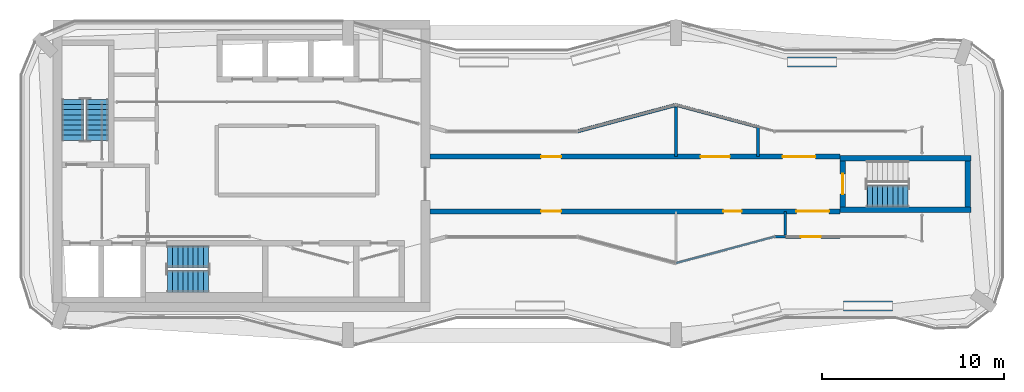
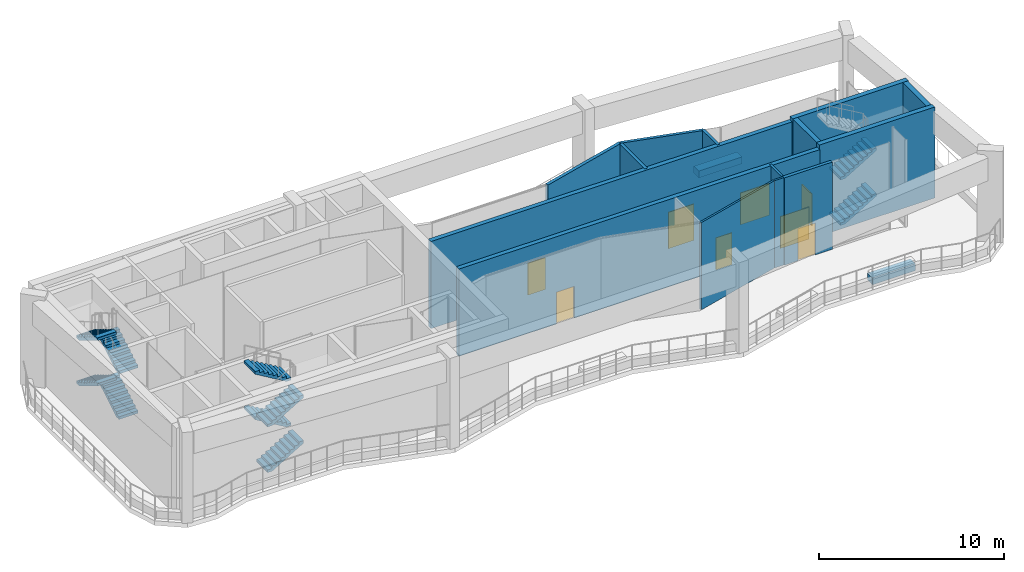
# One storey, part 8 of 12: 16 walls, 10 stair flights, 8 doors, 8 openings, 3 elements without a shape of their own.
"""IFC4 building model written with IfcOpenShell, lengths in metres."""

from ifc_helpers import new_model, si_unit, direction, frame, frame_2d, origin, place, context, subcontext, project, spatial, polyline, rectangle, outline, extrude, material, layer, layer_set, type_object, element, fill, aggregate, save


model = new_model("IFC4")

# Units and contexts
model_context = context("Model", 3, precision=1e-05, world=origin(), true_north=direction((0.0, 1.0)))
body_context = subcontext(model_context, "Body", "Model", "MODEL_VIEW")
ifc_project = project(units=[si_unit("LENGTHUNIT", "METRE"), si_unit("AREAUNIT", "SQUARE_METRE"), si_unit("VOLUMEUNIT", "CUBIC_METRE"), si_unit("PLANEANGLEUNIT", "RADIAN"), si_unit("MASSUNIT", "GRAM", prefix="KILO")], contexts=[model_context])

# Site, building, storey
site_placement = place(None, origin())
site = spatial("IfcSite", under=ifc_project, at=site_placement, CompositionType="ELEMENT")
building_placement = place(site_placement, origin())
building = spatial("IfcBuilding", under=site, at=building_placement, Name="Plateau Cross Towers", CompositionType="ELEMENT")
storey_placement = place(building_placement, frame((0.0, 0.0, 236.39990234375)))
storey = spatial("IfcBuildingStorey", under=building, at=storey_placement, Name="L62", CompositionType="ELEMENT", Elevation=236.39990234375)

# Wall, openings, doors
ifc_material_1 = material(Name="Concrete C60/75", Category="concrete")
ifc_layer_1 = layer(ifc_material_1, 0.27490234375)
ifc_layer_set_1 = layer_set([ifc_layer_1], Name="Concrete C60/75")
wall_type_1 = type_object("IfcWallType", Name="Outrigger wall 275", PredefinedType="SHEAR", material=ifc_layer_set_1)
wall_1_placement = place(storey_placement, frame((22.5, 7.5, 0.0), z_axis=(0.0, 0.0, 1.0), x_axis=(1.0, 0.0, 0.0)))
wall_1 = element("IfcWall", 1, at=wall_1_placement, inside=storey, type_object=wall_type_1, Name="A-cw-S1@L62", PredefinedType="SHEAR", context=body_context, shape_type="SweptSolid", body=[
    extrude(rectangle(XDim=22.5, YDim=0.27490234375, at=frame_2d((11.25, 0.0))), origin(), (0.0, 0.0, 1.0), 5.75),
])
opening_1_placement = place(wall_1_placement, frame((20.10009765625, 0.0, 0.0)))
opening_1 = element("IfcOpeningElement", 2, at=opening_1_placement, cuts=wall_1, Name="Opening 62-01", PredefinedType="OPENING", context=body_context, shape_type="SweptSolid", body=[
    extrude(rectangle(XDim=1.800048828125, YDim=2.10009765625, at=frame_2d((0.89990234375, 1.050048828125))), frame((0.0, 0.1474609375, 0.0), z_axis=(0.0, -1.0, 0.0), x_axis=(1.0, 0.0, 0.0)), (0.0, 0.0, 1.0), 0.294921875),
])
opening_2_placement = place(wall_1_placement, frame((6.10009765625, 0.0, 0.0)))
opening_2 = element("IfcOpeningElement", 3, at=opening_2_placement, cuts=wall_1, Name="Opening 62-03", PredefinedType="OPENING", context=body_context, shape_type="SweptSolid", body=[
    extrude(rectangle(XDim=1.10009765625, YDim=2.10009765625, at=frame_2d((0.550048828125, 1.050048828125))), frame((0.0, 0.1474609375, 0.0), z_axis=(0.0, -1.0, 0.0), x_axis=(1.0, 0.0, 0.0)), (0.0, 0.0, 1.0), 0.294921875),
])
opening_3_placement = place(wall_1_placement, frame((16.10009765625, 0.0, 0.0)))
opening_3 = element("IfcOpeningElement", 4, at=opening_3_placement, cuts=wall_1, Name="Opening 62-04", PredefinedType="OPENING", context=body_context, shape_type="SweptSolid", body=[
    extrude(rectangle(XDim=1.0, YDim=2.10009765625, at=frame_2d((0.5, 1.050048828125))), frame((0.0, 0.1474609375, 0.0), z_axis=(0.0, -1.0, 0.0), x_axis=(1.0, 0.0, 0.0)), (0.0, 0.0, 1.0), 0.294921875),
])
ifc_material_2 = material(Name="Timber leaf", Category="wood")
door_type_1 = type_object("IfcDoorType", Name="Podium clinic door 1000", OperationType="NOTDEFINED", PredefinedType="DOOR", material=ifc_material_2)
door_1_placement = place(opening_3_placement, origin())
door_1 = element("IfcDoor", 5, at=door_1_placement, inside=storey, type_object=door_type_1, Name="Door 62-04", OperationType="SINGLE_SWING_RIGHT", OverallHeight=2.10009765625, OverallWidth=1.0, PredefinedType="DOOR", context=body_context, shape_type="SweptSolid", body=[
    extrude(rectangle(XDim=1.0, YDim=2.10009765625, at=frame_2d((0.5, 1.050048828125))), frame((0.0, 0.02490234375, 0.0), z_axis=(0.0, -1.0, 0.0), x_axis=(1.0, 0.0, 0.0)), (0.0, 0.0, 1.0), 0.050048828125),
])
fill(opening_3, door_1)
ifc_material_3 = material(Name="Aluminium frame, toughened glass", Category="aluminium")
door_type_2 = type_object("IfcDoorType", Name="Podium door pair 1800", OperationType="NOTDEFINED", PredefinedType="DOOR", material=ifc_material_3)
door_2_placement = place(opening_1_placement, origin())
door_2 = element("IfcDoor", 6, at=door_2_placement, inside=storey, type_object=door_type_2, Name="Door 62-01", OperationType="DOUBLE_DOOR_SINGLE_SWING", OverallHeight=2.10009765625, OverallWidth=1.800048828125, PredefinedType="DOOR", context=body_context, shape_type="SweptSolid", body=[
    extrude(rectangle(XDim=1.800048828125, YDim=2.10009765625, at=frame_2d((0.89990234375, 1.050048828125))), frame((0.0, 0.02490234375, 0.0), z_axis=(0.0, -1.0, 0.0), x_axis=(1.0, 0.0, 0.0)), (0.0, 0.0, 1.0), 0.050048828125),
])
fill(opening_1, door_2)
ifc_material_4 = material(Name="Timber, fire-resisting leaf", Category="wood")
door_type_3 = type_object("IfcDoorType", Name="Podium fire door 1100", OperationType="NOTDEFINED", PredefinedType="DOOR", material=ifc_material_4)
door_3_placement = place(opening_2_placement, origin())
door_3 = element("IfcDoor", 7, at=door_3_placement, inside=storey, type_object=door_type_3, Name="Door 62-03", OperationType="SINGLE_SWING_LEFT", OverallHeight=2.10009765625, OverallWidth=1.10009765625, PredefinedType="DOOR", context=body_context, shape_type="SweptSolid", body=[
    extrude(rectangle(XDim=1.10009765625, YDim=2.10009765625, at=frame_2d((0.550048828125, 1.050048828125))), frame((0.0, 0.02490234375, 0.0), z_axis=(0.0, -1.0, 0.0), x_axis=(1.0, 0.0, 0.0)), (0.0, 0.0, 1.0), 0.050048828125),
])
fill(opening_2, door_3)

wall_2_placement = place(storey_placement, frame((22.5, 10.5, 0.0), z_axis=(0.0, 0.0, 1.0), x_axis=(1.0, 0.0, 0.0)))
wall_2 = element("IfcWall", 8, at=wall_2_placement, inside=storey, type_object=wall_type_1, Name="A-cw-S2@L62", PredefinedType="SHEAR", context=body_context, shape_type="SweptSolid", body=[
    extrude(rectangle(XDim=22.5, YDim=0.27490234375, at=frame_2d((11.25, 0.0))), origin(), (0.0, 0.0, 1.0), 5.75),
])
opening_4_placement = place(wall_2_placement, frame((6.10009765625, 0.0, 0.0)))
opening_4 = element("IfcOpeningElement", 9, at=opening_4_placement, cuts=wall_2, Name="Opening 62-05", PredefinedType="OPENING", context=body_context, shape_type="SweptSolid", body=[
    extrude(rectangle(XDim=1.10009765625, YDim=2.10009765625, at=frame_2d((0.550048828125, 1.050048828125))), frame((0.0, 0.1474609375, 0.0), z_axis=(0.0, -1.0, 0.0), x_axis=(1.0, 0.0, 0.0)), (0.0, 0.0, 1.0), 0.294921875),
])
opening_5_placement = place(wall_2_placement, frame((14.85009765625, 0.0, 0.0)))
opening_5 = element("IfcOpeningElement", 10, at=opening_5_placement, cuts=wall_2, Name="Opening 62-06", PredefinedType="OPENING", context=body_context, shape_type="SweptSolid", body=[
    extrude(rectangle(XDim=1.60009765625, YDim=2.39990234375, at=frame_2d((0.800048828125, 1.199951171875))), frame((0.0, 0.1474609375, 0.0), z_axis=(0.0, -1.0, 0.0), x_axis=(1.0, 0.0, 0.0)), (0.0, 0.0, 1.0), 0.294921875),
])
opening_6_placement = place(wall_2_placement, frame((19.35009765625, 0.0, 0.0)))
opening_6 = element("IfcOpeningElement", 11, at=opening_6_placement, cuts=wall_2, Name="Opening 62-07", PredefinedType="OPENING", context=body_context, shape_type="SweptSolid", body=[
    extrude(rectangle(XDim=1.800048828125, YDim=2.10009765625, at=frame_2d((0.89990234375, 1.050048828125))), frame((0.0, 0.1474609375, 0.0), z_axis=(0.0, -1.0, 0.0), x_axis=(1.0, 0.0, 0.0)), (0.0, 0.0, 1.0), 0.294921875),
])
ifc_material_5 = material(Name="Steel, fire-resisting double leaf with louvre panel", Category="steel")
door_type_4 = type_object("IfcDoorType", Name="Plant room double door 1600x2400", OperationType="NOTDEFINED", PredefinedType="DOOR", material=ifc_material_5)
door_4_placement = place(opening_5_placement, origin())
door_4 = element("IfcDoor", 12, at=door_4_placement, inside=storey, type_object=door_type_4, Name="Door 62-06", OperationType="SINGLE_SWING_RIGHT", OverallHeight=2.39990234375, OverallWidth=1.60009765625, PredefinedType="DOOR", context=body_context, shape_type="SweptSolid", body=[
    extrude(rectangle(XDim=1.60009765625, YDim=2.39990234375, at=frame_2d((0.800048828125, 1.199951171875))), frame((0.0, 0.02490234375, 0.0), z_axis=(0.0, -1.0, 0.0), x_axis=(1.0, 0.0, 0.0)), (0.0, 0.0, 1.0), 0.050048828125),
])
fill(opening_5, door_4)
door_5_placement = place(opening_6_placement, origin())
door_5 = element("IfcDoor", 13, at=door_5_placement, inside=storey, type_object=door_type_2, Name="Door 62-07", OperationType="DOUBLE_DOOR_SINGLE_SWING", OverallHeight=2.10009765625, OverallWidth=1.800048828125, PredefinedType="DOOR", context=body_context, shape_type="SweptSolid", body=[
    extrude(rectangle(XDim=1.800048828125, YDim=2.10009765625, at=frame_2d((0.89990234375, 1.050048828125))), frame((0.0, 0.02490234375, 0.0), z_axis=(0.0, -1.0, 0.0), x_axis=(1.0, 0.0, 0.0)), (0.0, 0.0, 1.0), 0.050048828125),
])
fill(opening_6, door_5)
door_6_placement = place(opening_4_placement, origin())
door_6 = element("IfcDoor", 14, at=door_6_placement, inside=storey, type_object=door_type_3, Name="Door 62-05", OperationType="SINGLE_SWING_LEFT", OverallHeight=2.10009765625, OverallWidth=1.10009765625, PredefinedType="DOOR", context=body_context, shape_type="SweptSolid", body=[
    extrude(rectangle(XDim=1.10009765625, YDim=2.10009765625, at=frame_2d((0.550048828125, 1.050048828125))), frame((0.0, 0.02490234375, 0.0), z_axis=(0.0, -1.0, 0.0), x_axis=(1.0, 0.0, 0.0)), (0.0, 0.0, 1.0), 0.050048828125),
])
fill(opening_4, door_6)

# Walls
ifc_material_6 = material(Name="Dense masonry block, plastered, acoustic lining", Category="masonry")
ifc_layer_2 = layer(ifc_material_6, 0.179931640625)
ifc_layer_set_2 = layer_set([ifc_layer_2], Name="Dense masonry block, plastered, acoustic lining")
wall_type_2 = type_object("IfcWallType", Name="Plant room acoustic wall 180", PredefinedType="PARTITIONING", material=ifc_layer_set_2)
wall_3_placement = place(storey_placement, frame((40.5, 10.5, 0.0), z_axis=(0.0, 0.0, 1.0), x_axis=(0.0, 1.0, 0.0)))
element("IfcWall", 15, at=wall_3_placement, inside=storey, type_object=wall_type_2, Name="Partition wall", PredefinedType="PARTITIONING", context=body_context, shape_type="SweptSolid", body=[
    extrude(rectangle(XDim=1.635986328125, YDim=0.179931640625, at=frame_2d((0.81787109375, 0.0))), origin(), (0.0, 0.0, 1.0), 5.75),
])
wall_4_placement = place(storey_placement, frame((40.5, 12.135986328125, 0.0), z_axis=(0.0, 0.0, 1.0), x_axis=(-0.965963018817, 0.258680200786, 0.0)))
element("IfcWall", 16, at=wall_4_placement, inside=storey, type_object=wall_type_2, Name="Partition wall", PredefinedType="PARTITIONING", context=body_context, shape_type="SweptSolid", body=[
    extrude(rectangle(XDim=4.658447265625, YDim=0.179931640625, at=frame_2d((2.3291015625, 0.0))), origin(), (0.0, 0.0, 1.0), 5.75),
])
wall_5_placement = place(storey_placement, frame((36.0, 13.237060546875, 0.0), z_axis=(0.0, 0.0, 1.0), x_axis=(0.0, -1.0, 0.0)))
element("IfcWall", 17, at=wall_5_placement, inside=storey, type_object=wall_type_2, Name="Partition wall", PredefinedType="PARTITIONING", context=body_context, shape_type="SweptSolid", body=[
    extrude(rectangle(XDim=2.737060546875, YDim=0.179931640625, at=frame_2d((1.36865234375, 0.0))), origin(), (0.0, 0.0, 1.0), 5.75),
])
ifc_material_7 = material(Name="Concrete C30/37", Category="concrete")
ifc_layer_3 = layer(ifc_material_7, 0.550048828125)
ifc_layer_set_3 = layer_set([ifc_layer_3], Name="Concrete C30/37")
wall_type_3 = type_object("IfcWallType", Name="Planter upstand 550", PredefinedType="STANDARD", material=ifc_layer_set_3)
for number, where, z_axis, x_axis, name in (
    (18, (42.108642578125, 15.697998046875, 0.0), (0.0, 0.0, 1.0), (1.0, 0.0, 0.0), "Planter 3"),
    (19, (47.891357421875, 2.302001953125, 0.0), (0.0, 0.0, 1.0), (-1.0, 0.0, 0.0), "Planter 4"),
):
    element("IfcWall", number, at=place(storey_placement, frame(where, z_axis=z_axis, x_axis=x_axis)), inside=storey, type_object=wall_type_3, Name=name, PredefinedType="STANDARD", context=body_context, shape_type="SweptSolid", body=[
        extrude(rectangle(XDim=2.69140625, YDim=0.550048828125, at=frame_2d((1.345703125, 0.0))), origin(), (0.0, 0.0, 1.0), 0.4501953125),
    ])

# Wall, opening, door
ifc_material_8 = material(Name="Gypsum board on steel studs, two layers each side", Category="steel")
ifc_layer_4 = layer(ifc_material_8, 0.199951171875)
ifc_layer_set_4 = layer_set([ifc_layer_4], Name="Gypsum board on steel studs, two layers each side")
wall_type_4 = type_object("IfcWallType", Name="Podium compartment wall 200", PredefinedType="PARTITIONING", material=ifc_layer_set_4)
wall_6_placement = place(storey_placement, frame((42.0, 6.10693359375, 0.0), z_axis=(0.0, 0.0, 1.0), x_axis=(1.0, 0.0, 0.0)))
wall_6 = element("IfcWall", 20, at=wall_6_placement, inside=storey, type_object=wall_type_4, Name="Partition wall", PredefinedType="PARTITIONING", context=body_context, shape_type="SweptSolid", body=[
    extrude(rectangle(XDim=3.0, YDim=0.199951171875, at=frame_2d((1.5, 0.0))), origin(), (0.0, 0.0, 1.0), 5.75),
])
opening_7_placement = place(wall_6_placement, frame((0.85009765625, 0.0, 0.0)))
opening_7 = element("IfcOpeningElement", 21, at=opening_7_placement, cuts=wall_6, Name="Opening 62-02", PredefinedType="OPENING", context=body_context, shape_type="SweptSolid", body=[
    extrude(rectangle(XDim=1.10009765625, YDim=2.10009765625, at=frame_2d((0.550048828125, 1.050048828125))), frame((0.0, 0.10986328125, 0.0), z_axis=(0.0, -1.0, 0.0), x_axis=(1.0, 0.0, 0.0)), (0.0, 0.0, 1.0), 0.219970703125),
])
door_7_placement = place(opening_7_placement, origin())
door_7 = element("IfcDoor", 22, at=door_7_placement, inside=storey, type_object=door_type_3, Name="Door 62-02", OperationType="SINGLE_SWING_LEFT", OverallHeight=2.10009765625, OverallWidth=1.10009765625, PredefinedType="DOOR", context=body_context, shape_type="SweptSolid", body=[
    extrude(rectangle(XDim=1.10009765625, YDim=2.10009765625, at=frame_2d((0.550048828125, 1.050048828125))), frame((0.0, 0.02490234375, 0.0), z_axis=(0.0, -1.0, 0.0), x_axis=(1.0, 0.0, 0.0)), (0.0, 0.0, 1.0), 0.050048828125),
])
fill(opening_7, door_7)

# Walls
ifc_material_9 = material(Name="Gypsum board on steel studs", Category="steel")
ifc_layer_5 = layer(ifc_material_9, 0.199951171875)
ifc_layer_set_5 = layer_set([ifc_layer_5], Name="Gypsum board on steel studs")
wall_type_5 = type_object("IfcWallType", Name="Podium partition 200", PredefinedType="PARTITIONING", material=ifc_layer_set_5)
wall_7_placement = place(storey_placement, frame((36.0, 13.341064453125, 0.0), z_axis=(0.0, 0.0, 1.0), x_axis=(-0.96597315334, -0.258642353504, 0.0)))
element("IfcWall", 23, at=wall_7_placement, inside=storey, type_object=wall_type_5, Name="Partition wall", PredefinedType="PARTITIONING", context=body_context, shape_type="SweptSolid", body=[
    extrude(rectangle(XDim=5.598388671875, YDim=0.199951171875, at=frame_2d((2.79931640625, 0.0))), origin(), (0.0, 0.0, 1.0), 5.75),
])
ifc_material_10 = material(Name="Moisture-resistant board on steel studs, tiled one side", Category="steel")
ifc_layer_6 = layer(ifc_material_10, 0.1201171875)
ifc_layer_set_6 = layer_set([ifc_layer_6], Name="Moisture-resistant board on steel studs, tiled one side")
wall_type_6 = type_object("IfcWallType", Name="Sanitary partition 120", PredefinedType="PARTITIONING", material=ifc_layer_set_6)
wall_8_placement = place(storey_placement, frame((36.0, 4.658935546875, 0.0), z_axis=(0.0, 0.0, 1.0), x_axis=(0.96597315334, 0.258642353504, 0.0)))
element("IfcWall", 24, at=wall_8_placement, inside=storey, type_object=wall_type_6, Name="Partition wall", PredefinedType="PARTITIONING", context=body_context, shape_type="SweptSolid", body=[
    extrude(rectangle(XDim=5.598388671875, YDim=0.1201171875, at=frame_2d((2.79931640625, 0.0))), origin(), (0.0, 0.0, 1.0), 5.75),
])
wall_9_placement = place(storey_placement, frame((41.407958984375, 6.10693359375, 0.0), z_axis=(0.0, 0.0, 1.0), x_axis=(1.0, 0.0, 0.0)))
element("IfcWall", 25, at=wall_9_placement, inside=storey, type_object=wall_type_6, Name="Partition wall", PredefinedType="PARTITIONING", context=body_context, shape_type="SweptSolid", body=[
    extrude(rectangle(XDim=0.592041015625, YDim=0.1201171875, at=frame_2d((0.2958984375, 0.0))), origin(), (0.0, 0.0, 1.0), 5.75),
])
wall_10_placement = place(storey_placement, frame((42.0, 6.20703125, 0.0), z_axis=(0.0, 0.0, 1.0), x_axis=(0.0, 1.0, 0.0)))
element("IfcWall", 26, at=wall_10_placement, inside=storey, type_object=wall_type_6, Name="Partition wall", PredefinedType="PARTITIONING", context=body_context, shape_type="SweptSolid", body=[
    extrude(rectangle(XDim=1.29296875, YDim=0.1201171875, at=frame_2d((0.646484375, 0.0))), origin(), (0.0, 0.0, 1.0), 5.75),
])

# Wall, opening, door
ifc_layer_7 = layer(ifc_material_1, 0.300048828125)
ifc_layer_set_7 = layer_set([ifc_layer_7], Name="Concrete C60/75")
wall_type_7 = type_object("IfcWallType", Name="Stair tower wall 300", PredefinedType="SHEAR", material=ifc_layer_set_7)
wall_11_placement = place(storey_placement, frame((45.14990234375, 7.72509765625, 0.0), z_axis=(0.0, 0.0, 1.0), x_axis=(0.0, 1.0, 0.0)))
wall_11 = element("IfcWall", 27, at=wall_11_placement, inside=storey, type_object=wall_type_7, Name="A-end-E-W@L62", PredefinedType="SHEAR", context=body_context, shape_type="SweptSolid", body=[
    extrude(rectangle(XDim=2.5498046875, YDim=0.300048828125, at=frame_2d((1.27490234375, 0.0))), origin(), (0.0, 0.0, 1.0), 6.0),
])
opening_8_placement = place(wall_11_placement, frame((0.72509765625, 0.0, 0.0)))
opening_8 = element("IfcOpeningElement", 28, at=opening_8_placement, cuts=wall_11, Name="Opening SD", PredefinedType="OPENING", context=body_context, shape_type="SweptSolid", body=[
    extrude(rectangle(XDim=1.10009765625, YDim=2.10009765625, at=frame_2d((0.550048828125, 1.050048828125))), frame((0.0, 0.159912109375, 0.0), z_axis=(0.0, -1.0, 0.0), x_axis=(1.0, 0.0, 0.0)), (0.0, 0.0, 1.0), 0.320068359375),
])
ifc_material_11 = material(Name="Steel, fire-resisting leaf", Category="steel")
door_type_5 = type_object("IfcDoorType", Name="Stair door 1100", OperationType="NOTDEFINED", PredefinedType="DOOR", material=ifc_material_11)
door_8_placement = place(opening_8_placement, origin())
door_8 = element("IfcDoor", 29, at=door_8_placement, inside=storey, type_object=door_type_5, Name="Stair door SD", OperationType="SINGLE_SWING_LEFT", OverallHeight=2.10009765625, OverallWidth=1.10009765625, PredefinedType="DOOR", context=body_context, shape_type="SweptSolid", body=[
    extrude(rectangle(XDim=1.10009765625, YDim=2.10009765625, at=frame_2d((0.550048828125, 1.050048828125))), frame((0.0, 0.02490234375, 0.0), z_axis=(0.0, -1.0, 0.0), x_axis=(1.0, 0.0, 0.0)), (0.0, 0.0, 1.0), 0.050048828125),
])
fill(opening_8, door_8)

# Walls
wall_12_placement = place(storey_placement, frame((52.0, 7.72509765625, 0.0), z_axis=(0.0, 0.0, 1.0), x_axis=(0.0, 1.0, 0.0)))
element("IfcWall", 30, at=wall_12_placement, inside=storey, type_object=wall_type_7, Name="A-end-E-E@L62", PredefinedType="SHEAR", context=body_context, shape_type="SweptSolid", body=[
    extrude(rectangle(XDim=2.5498046875, YDim=0.300048828125, at=frame_2d((1.27490234375, 0.0))), origin(), (0.0, 0.0, 1.0), 6.0),
])
for number, where, z_axis, x_axis, name in (
    (31, (45.0, 7.574951171875, 0.0), (0.0, 0.0, 1.0), (1.0, 0.0, 0.0), "A-end-E-S@L62"),
    (32, (45.0, 10.425048828125, 0.0), (0.0, 0.0, 1.0), (1.0, 0.0, 0.0), "A-end-E-N@L62"),
):
    element("IfcWall", number, at=place(storey_placement, frame(where, z_axis=z_axis, x_axis=x_axis)), inside=storey, type_object=wall_type_7, Name=name, PredefinedType="SHEAR", context=body_context, shape_type="SweptSolid", body=[
        extrude(rectangle(XDim=7.199951171875, YDim=0.300048828125, at=frame_2d((3.60009765625, 0.0))), origin(), (0.0, 0.0, 1.0), 6.0),
    ])

# Stair, stair flights
ifc_material_12 = material(Name="Concrete C40/50", Category="concrete")
stair_type = type_object("IfcStairType", Name="ST-TWR", PredefinedType="HALF_TURN_STAIR", material=ifc_material_12)
stair_1_placement = place(storey_placement, origin())
stair_1 = element("IfcStair", 33, at=stair_1_placement, inside=storey, type_object=stair_type, Name="L62 Protected Exit Stair ST-1", PredefinedType="HALF_TURN_STAIR")
stair_flight_type = type_object("IfcStairFlightType", Name="SFL-RC", PredefinedType="STRAIGHT", material=ifc_material_12)
stair_flight_1_placement = place(storey_placement, frame((4.25, 11.39990234375, 0.0), z_axis=(0.0, 0.0, 1.0), x_axis=(0.0, 1.0, 0.0)))
stair_flight_1 = element("IfcStairFlight", 34, at=stair_flight_1_placement, type_object=stair_flight_type, Name="ST-1 flight 1", NumberOfRisers=9, NumberOfTreads=8, PredefinedType="STRAIGHT", RiserHeight=0.166666667, TreadLength=0.28, context=body_context, shape_type="SweptSolid", body=[
    extrude(outline(polyline([(-0.0048828125, -0.010009765625), (-0.0048828125, 0.0), (0.0, 0.0), (0.0, 0.166748046875), (0.280029296875, 0.166748046875), (0.280029296875, 0.333251953125), (0.56005859375, 0.333251953125), (0.56005859375, 0.5), (0.840087890625, 0.5), (0.840087890625, 0.666748046875), (1.1201171875, 0.666748046875), (1.1201171875, 0.833251953125), (1.39990234375, 0.833251953125), (1.39990234375, 1.0), (1.679931640625, 1.0), (1.679931640625, 1.166748046875), (1.9599609375, 1.166748046875), (1.9599609375, 1.333251953125), (2.239990234375, 1.333251953125), (2.2451171875, 1.3232421875), (2.2451171875, 1.158935546875), (2.239990234375, 1.158935546875), (0.29296875, 0.0), (0.02001953125, 0.0), (0.02001953125, -0.010009765625), (-0.0048828125, -0.010009765625)])), frame((0.0, 0.60009765625, 0.0), z_axis=(0.0, -1.0, 0.0), x_axis=(1.0, 0.0, 0.0)), (0.0, 0.0, 1.0), 1.199951171875),
])
stair_flight_2_placement = place(storey_placement, frame((2.89990234375, 13.639892578125, 1.5), z_axis=(0.0, 0.0, 1.0), x_axis=(0.0, -1.0, 0.0)))
stair_flight_2 = element("IfcStairFlight", 35, at=stair_flight_2_placement, type_object=stair_flight_type, Name="ST-1 flight 2", NumberOfRisers=9, NumberOfTreads=8, PredefinedType="STRAIGHT", RiserHeight=0.166666667, TreadLength=0.28, context=body_context, shape_type="SweptSolid", body=[
    extrude(outline(polyline([(-0.0048828125, -0.010009765625), (-0.0048828125, 0.0), (0.0, 0.0), (0.0, 0.166748046875), (0.280029296875, 0.166748046875), (0.280029296875, 0.333251953125), (0.56005859375, 0.333251953125), (0.56005859375, 0.5), (0.840087890625, 0.5), (0.840087890625, 0.666748046875), (1.1201171875, 0.666748046875), (1.1201171875, 0.833251953125), (1.39990234375, 0.833251953125), (1.39990234375, 1.0), (1.679931640625, 1.0), (1.679931640625, 1.166748046875), (1.9599609375, 1.166748046875), (1.9599609375, 1.333251953125), (2.239990234375, 1.333251953125), (2.2451171875, 1.3232421875), (2.2451171875, 1.158935546875), (2.239990234375, 1.158935546875), (0.29296875, 0.0), (0.02001953125, 0.0), (0.02001953125, -0.010009765625), (-0.0048828125, -0.010009765625)])), frame((0.0, 0.60009765625, 0.0), z_axis=(0.0, -1.0, 0.0), x_axis=(1.0, 0.0, 0.0)), (0.0, 0.0, 1.0), 1.199951171875),
])
stair_flight_3_placement = place(storey_placement, frame((4.25, 11.39990234375, 3.0), z_axis=(0.0, 0.0, 1.0), x_axis=(0.0, 1.0, 0.0)))
stair_flight_3 = element("IfcStairFlight", 36, at=stair_flight_3_placement, type_object=stair_flight_type, Name="ST-1 flight 3", NumberOfRisers=9, NumberOfTreads=8, PredefinedType="STRAIGHT", RiserHeight=0.166666667, TreadLength=0.28, context=body_context, shape_type="SweptSolid", body=[
    extrude(outline(polyline([(-0.0048828125, -0.010009765625), (-0.0048828125, 0.0), (0.0, 0.0), (0.0, 0.166748046875), (0.280029296875, 0.166748046875), (0.280029296875, 0.333251953125), (0.56005859375, 0.333251953125), (0.56005859375, 0.5), (0.840087890625, 0.5), (0.840087890625, 0.666748046875), (1.1201171875, 0.666748046875), (1.1201171875, 0.833251953125), (1.39990234375, 0.833251953125), (1.39990234375, 1.0), (1.679931640625, 1.0), (1.679931640625, 1.166748046875), (1.9599609375, 1.166748046875), (1.9599609375, 1.333251953125), (2.239990234375, 1.333251953125), (2.2451171875, 1.3232421875), (2.2451171875, 1.158935546875), (2.239990234375, 1.158935546875), (0.29296875, 0.0), (0.02001953125, 0.0), (0.02001953125, -0.010009765625), (-0.0048828125, -0.010009765625)])), frame((0.0, 0.60009765625, 0.0), z_axis=(0.0, -1.0, 0.0), x_axis=(1.0, 0.0, 0.0)), (0.0, 0.0, 1.0), 1.199951171875),
])
stair_flight_4_placement = place(storey_placement, frame((2.89990234375, 13.639892578125, 4.5), z_axis=(0.0, 0.0, 1.0), x_axis=(0.0, -1.0, 0.0)))
stair_flight_4 = element("IfcStairFlight", 37, at=stair_flight_4_placement, type_object=stair_flight_type, Name="ST-1 flight 4", NumberOfRisers=9, NumberOfTreads=8, PredefinedType="STRAIGHT", RiserHeight=0.166666667, TreadLength=0.28, context=body_context, shape_type="SweptSolid", body=[
    extrude(outline(polyline([(-0.0048828125, -0.010009765625), (-0.0048828125, 0.0), (0.0, 0.0), (0.0, 0.166748046875), (0.280029296875, 0.166748046875), (0.280029296875, 0.333251953125), (0.56005859375, 0.333251953125), (0.56005859375, 0.5), (0.840087890625, 0.5), (0.840087890625, 0.666748046875), (1.1201171875, 0.666748046875), (1.1201171875, 0.833251953125), (1.39990234375, 0.833251953125), (1.39990234375, 1.0), (1.679931640625, 1.0), (1.679931640625, 1.166748046875), (1.9599609375, 1.166748046875), (1.9599609375, 1.333251953125), (2.239990234375, 1.333251953125), (2.2451171875, 1.3232421875), (2.2451171875, 1.158935546875), (2.239990234375, 1.158935546875), (0.29296875, 0.0), (0.02001953125, 0.0), (0.02001953125, -0.010009765625), (-0.0048828125, -0.010009765625)])), frame((0.0, 0.60009765625, 0.0), z_axis=(0.0, -1.0, 0.0), x_axis=(1.0, 0.0, 0.0)), (0.0, 0.0, 1.0), 1.199951171875),
])
aggregate(stair_1, [stair_flight_1, stair_flight_2, stair_flight_3, stair_flight_4])

stair_2_placement = place(storey_placement, origin())
stair_2 = element("IfcStair", 38, at=stair_2_placement, inside=storey, type_object=stair_type, Name="L62 Protected Exit Stair ST-2", PredefinedType="HALF_TURN_STAIR")
stair_flight_5_placement = place(storey_placement, frame((8.10009765625, 3.64990234375, 0.0), z_axis=(0.0, 0.0, 1.0), x_axis=(1.0, 0.0, 0.0)))
stair_flight_5 = element("IfcStairFlight", 39, at=stair_flight_5_placement, type_object=stair_flight_type, Name="ST-2 flight 1", NumberOfRisers=9, NumberOfTreads=8, PredefinedType="STRAIGHT", RiserHeight=0.166666667, TreadLength=0.28, context=body_context, shape_type="SweptSolid", body=[
    extrude(outline(polyline([(-0.0048828125, -0.010009765625), (-0.0048828125, 0.0), (0.0, 0.0), (0.0, 0.166748046875), (0.280029296875, 0.166748046875), (0.280029296875, 0.333251953125), (0.56005859375, 0.333251953125), (0.56005859375, 0.5), (0.840087890625, 0.5), (0.840087890625, 0.666748046875), (1.1201171875, 0.666748046875), (1.1201171875, 0.833251953125), (1.39990234375, 0.833251953125), (1.39990234375, 1.0), (1.679931640625, 1.0), (1.679931640625, 1.166748046875), (1.9599609375, 1.166748046875), (1.9599609375, 1.333251953125), (2.239990234375, 1.333251953125), (2.2451171875, 1.3232421875), (2.2451171875, 1.158935546875), (2.239990234375, 1.158935546875), (0.29296875, 0.0), (0.02001953125, 0.0), (0.02001953125, -0.010009765625), (-0.0048828125, -0.010009765625)])), frame((0.0, 0.60009765625, 0.0), z_axis=(0.0, -1.0, 0.0), x_axis=(1.0, 0.0, 0.0)), (0.0, 0.0, 1.0), 1.199951171875),
])
stair_flight_6_placement = place(storey_placement, frame((10.340087890625, 5.0, 1.5), z_axis=(0.0, 0.0, 1.0), x_axis=(-1.0, 0.0, 0.0)))
stair_flight_6 = element("IfcStairFlight", 40, at=stair_flight_6_placement, type_object=stair_flight_type, Name="ST-2 flight 2", NumberOfRisers=9, NumberOfTreads=8, PredefinedType="STRAIGHT", RiserHeight=0.166666667, TreadLength=0.28, context=body_context, shape_type="SweptSolid", body=[
    extrude(outline(polyline([(-0.0048828125, -0.010009765625), (-0.0048828125, 0.0), (0.0, 0.0), (0.0, 0.166748046875), (0.280029296875, 0.166748046875), (0.280029296875, 0.333251953125), (0.56005859375, 0.333251953125), (0.56005859375, 0.5), (0.840087890625, 0.5), (0.840087890625, 0.666748046875), (1.1201171875, 0.666748046875), (1.1201171875, 0.833251953125), (1.39990234375, 0.833251953125), (1.39990234375, 1.0), (1.679931640625, 1.0), (1.679931640625, 1.166748046875), (1.9599609375, 1.166748046875), (1.9599609375, 1.333251953125), (2.239990234375, 1.333251953125), (2.2451171875, 1.3232421875), (2.2451171875, 1.158935546875), (2.239990234375, 1.158935546875), (0.29296875, 0.0), (0.02001953125, 0.0), (0.02001953125, -0.010009765625), (-0.0048828125, -0.010009765625)])), frame((0.0, 0.60009765625, 0.0), z_axis=(0.0, -1.0, 0.0), x_axis=(1.0, 0.0, 0.0)), (0.0, 0.0, 1.0), 1.199951171875),
])
stair_flight_7_placement = place(storey_placement, frame((8.10009765625, 3.64990234375, 3.0), z_axis=(0.0, 0.0, 1.0), x_axis=(1.0, 0.0, 0.0)))
stair_flight_7 = element("IfcStairFlight", 41, at=stair_flight_7_placement, type_object=stair_flight_type, Name="ST-2 flight 3", NumberOfRisers=9, NumberOfTreads=8, PredefinedType="STRAIGHT", RiserHeight=0.166666667, TreadLength=0.28, context=body_context, shape_type="SweptSolid", body=[
    extrude(outline(polyline([(-0.0048828125, -0.010009765625), (-0.0048828125, 0.0), (0.0, 0.0), (0.0, 0.166748046875), (0.280029296875, 0.166748046875), (0.280029296875, 0.333251953125), (0.56005859375, 0.333251953125), (0.56005859375, 0.5), (0.840087890625, 0.5), (0.840087890625, 0.666748046875), (1.1201171875, 0.666748046875), (1.1201171875, 0.833251953125), (1.39990234375, 0.833251953125), (1.39990234375, 1.0), (1.679931640625, 1.0), (1.679931640625, 1.166748046875), (1.9599609375, 1.166748046875), (1.9599609375, 1.333251953125), (2.239990234375, 1.333251953125), (2.2451171875, 1.3232421875), (2.2451171875, 1.158935546875), (2.239990234375, 1.158935546875), (0.29296875, 0.0), (0.02001953125, 0.0), (0.02001953125, -0.010009765625), (-0.0048828125, -0.010009765625)])), frame((0.0, 0.60009765625, 0.0), z_axis=(0.0, -1.0, 0.0), x_axis=(1.0, 0.0, 0.0)), (0.0, 0.0, 1.0), 1.199951171875),
])
stair_flight_8_placement = place(storey_placement, frame((10.340087890625, 5.0, 4.5), z_axis=(0.0, 0.0, 1.0), x_axis=(-1.0, 0.0, 0.0)))
stair_flight_8 = element("IfcStairFlight", 42, at=stair_flight_8_placement, type_object=stair_flight_type, Name="ST-2 flight 4", NumberOfRisers=9, NumberOfTreads=8, PredefinedType="STRAIGHT", RiserHeight=0.166666667, TreadLength=0.28, context=body_context, shape_type="SweptSolid", body=[
    extrude(outline(polyline([(-0.0048828125, -0.010009765625), (-0.0048828125, 0.0), (0.0, 0.0), (0.0, 0.166748046875), (0.280029296875, 0.166748046875), (0.280029296875, 0.333251953125), (0.56005859375, 0.333251953125), (0.56005859375, 0.5), (0.840087890625, 0.5), (0.840087890625, 0.666748046875), (1.1201171875, 0.666748046875), (1.1201171875, 0.833251953125), (1.39990234375, 0.833251953125), (1.39990234375, 1.0), (1.679931640625, 1.0), (1.679931640625, 1.166748046875), (1.9599609375, 1.166748046875), (1.9599609375, 1.333251953125), (2.239990234375, 1.333251953125), (2.2451171875, 1.3232421875), (2.2451171875, 1.158935546875), (2.239990234375, 1.158935546875), (0.29296875, 0.0), (0.02001953125, 0.0), (0.02001953125, -0.010009765625), (-0.0048828125, -0.010009765625)])), frame((0.0, 0.60009765625, 0.0), z_axis=(0.0, -1.0, 0.0), x_axis=(1.0, 0.0, 0.0)), (0.0, 0.0, 1.0), 1.199951171875),
])
aggregate(stair_2, [stair_flight_5, stair_flight_6, stair_flight_7, stair_flight_8])

stair_3_placement = place(storey_placement, origin())
stair_3 = element("IfcStair", 43, at=stair_3_placement, inside=storey, type_object=stair_type, Name="L62 Protected Exit Stair E", PredefinedType="HALF_TURN_STAIR")
stair_flight_9_placement = place(storey_placement, frame((46.5, 8.324951171875, 0.0), z_axis=(0.0, 0.0, 1.0), x_axis=(1.0, 0.0, 0.0)))
stair_flight_9 = element("IfcStairFlight", 44, at=stair_flight_9_placement, type_object=stair_flight_type, Name="ES-E flight 1", NumberOfRisers=9, NumberOfTreads=8, PredefinedType="STRAIGHT", RiserHeight=0.166666667, TreadLength=0.28, context=body_context, shape_type="SweptSolid", body=[
    extrude(outline(polyline([(-0.0048828125, -0.010009765625), (-0.0048828125, 0.0), (0.0, 0.0), (0.0, 0.166748046875), (0.280029296875, 0.166748046875), (0.280029296875, 0.333251953125), (0.56005859375, 0.333251953125), (0.56005859375, 0.5), (0.840087890625, 0.5), (0.840087890625, 0.666748046875), (1.1201171875, 0.666748046875), (1.1201171875, 0.833251953125), (1.39990234375, 0.833251953125), (1.39990234375, 1.0), (1.679931640625, 1.0), (1.679931640625, 1.166748046875), (1.9599609375, 1.166748046875), (1.9599609375, 1.333251953125), (2.239990234375, 1.333251953125), (2.2451171875, 1.3232421875), (2.2451171875, 1.158935546875), (2.239990234375, 1.158935546875), (0.29296875, 0.0), (0.02001953125, 0.0), (0.02001953125, -0.010009765625), (-0.0048828125, -0.010009765625)])), frame((0.0, 0.60009765625, 0.0), z_axis=(0.0, -1.0, 0.0), x_axis=(1.0, 0.0, 0.0)), (0.0, 0.0, 1.0), 1.199951171875),
])
stair_flight_10_placement = place(storey_placement, frame((46.5, 8.324951171875, 3.0), z_axis=(0.0, 0.0, 1.0), x_axis=(1.0, 0.0, 0.0)))
stair_flight_10 = element("IfcStairFlight", 45, at=stair_flight_10_placement, type_object=stair_flight_type, Name="ES-E flight 3", NumberOfRisers=9, NumberOfTreads=8, PredefinedType="STRAIGHT", RiserHeight=0.166666667, TreadLength=0.28, context=body_context, shape_type="SweptSolid", body=[
    extrude(outline(polyline([(-0.0048828125, -0.010009765625), (-0.0048828125, 0.0), (0.0, 0.0), (0.0, 0.166748046875), (0.280029296875, 0.166748046875), (0.280029296875, 0.333251953125), (0.56005859375, 0.333251953125), (0.56005859375, 0.5), (0.840087890625, 0.5), (0.840087890625, 0.666748046875), (1.1201171875, 0.666748046875), (1.1201171875, 0.833251953125), (1.39990234375, 0.833251953125), (1.39990234375, 1.0), (1.679931640625, 1.0), (1.679931640625, 1.166748046875), (1.9599609375, 1.166748046875), (1.9599609375, 1.333251953125), (2.239990234375, 1.333251953125), (2.2451171875, 1.3232421875), (2.2451171875, 1.158935546875), (2.239990234375, 1.158935546875), (0.29296875, 0.0), (0.02001953125, 0.0), (0.02001953125, -0.010009765625), (-0.0048828125, -0.010009765625)])), frame((0.0, 0.60009765625, 0.0), z_axis=(0.0, -1.0, 0.0), x_axis=(1.0, 0.0, 0.0)), (0.0, 0.0, 1.0), 1.199951171875),
])
aggregate(stair_3, [stair_flight_9, stair_flight_10])

save(model, "model.ifc")
